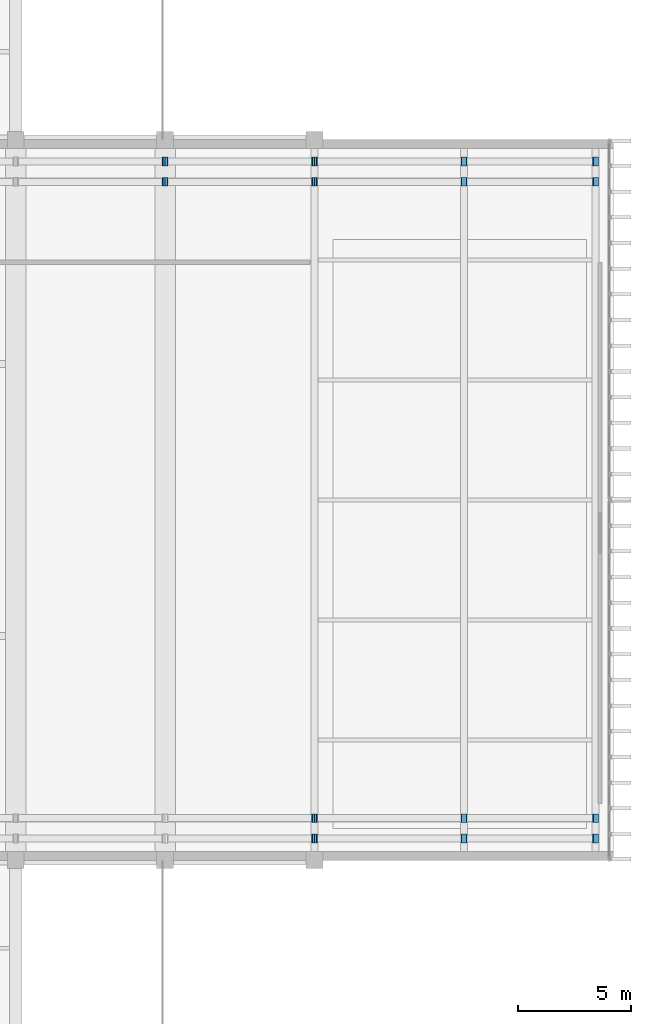
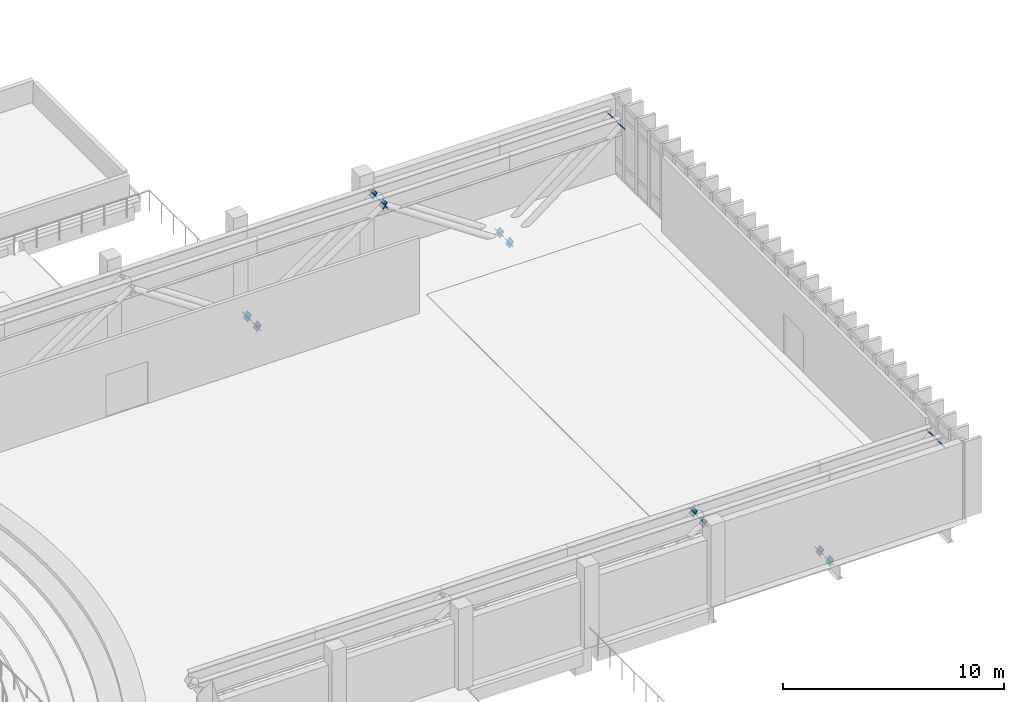
# One storey, part 47 of 54: 24 discrete accessories.
"""IFC4 building model written with IfcOpenShell, lengths in metres."""

import ifcopenshell
import ifcopenshell.guid

model = None  # the IFC model being written
_history = None  # IfcOwnerHistory: only IFC2X3 demands one
_inside = {}  # id of a spatial element -> (the spatial element, [elements in it])
_under = {}  # id of a project, library or spatial element -> (it, [spatial elements below it])
_declared = {}  # id of a project -> (the project, [libraries it declares])
_typed = {}  # id of a type object -> (the type object, [elements of that type])
_made_of = {}  # id of a material, layer set ... -> (it, [elements and type objects made of it])


def new_model(schema):
    """Start an empty IFC model of exactly this schema.

    Asked for "IFC4X3", IfcOpenShell would pick the latest addendum, in which some entities
    have other attributes; the version numbers below select the first issue.
    IFC2X3 requires an IfcOwnerHistory on every rooted entity: one is made here for all.
    """
    global model, _history
    if schema == "IFC4X3":
        model = ifcopenshell.file(schema_version=(4, 3, 0, 0))
    else:
        model = ifcopenshell.file(schema=schema)
    _inside.clear()
    _under.clear()
    _declared.clear()
    _typed.clear()
    _made_of.clear()
    _history = None
    if model.schema == "IFC2X3":
        org = make("IfcOrganization", Name="unknown")
        user = make(
            "IfcPersonAndOrganization",
            ThePerson=make("IfcPerson", FamilyName="unknown"),
            TheOrganization=org,
        )
        app = make(
            "IfcApplication",
            ApplicationDeveloper=org,
            Version="unknown",
            ApplicationFullName="unknown",
            ApplicationIdentifier="unknown",
        )
        _history = make(
            "IfcOwnerHistory",
            OwningUser=user,
            OwningApplication=app,
            ChangeAction="ADDED",
            CreationDate=0,
        )
    return model


def make(cls, **values):
    """One entity of the class cls with the attributes given. An attribute that is None is left unset."""
    return model.create_entity(
        cls, **{name: value for name, value in values.items() if value is not None}
    )


def rooted(cls, **values):
    """An entity with a GlobalId (a new one), such as an element, a storey or a relation."""
    return make(cls, GlobalId=ifcopenshell.guid.new(), OwnerHistory=_history, **values)


def si_unit(unit_type, name, prefix=None):
    """IfcSIUnit, for example si_unit("LENGTHUNIT", "METRE", prefix="MILLI")."""
    return make("IfcSIUnit", UnitType=unit_type, Prefix=prefix, Name=name)


def assignment(units):
    """IfcUnitAssignment: the units of a project."""
    return None if units is None else make("IfcUnitAssignment", Units=units)


def point(xyz):
    """IfcCartesianPoint."""
    return None if xyz is None else make("IfcCartesianPoint", Coordinates=xyz)


def direction(xyz):
    """IfcDirection."""
    return None if xyz is None else make("IfcDirection", DirectionRatios=xyz)


def frame(location, z_axis=None, x_axis=None):
    """IfcAxis2Placement3D, a coordinate frame: its origin and axes. An axis left out is left unset."""
    return make(
        "IfcAxis2Placement3D",
        Location=point(location),
        Axis=direction(z_axis),
        RefDirection=direction(x_axis),
    )


def frame_2d(location, x_axis=None):
    """IfcAxis2Placement2D, a coordinate frame in the plane: its origin and x axis."""
    return make(
        "IfcAxis2Placement2D", Location=point(location), RefDirection=direction(x_axis)
    )


def origin():
    """The frame at (0, 0, 0) with its axes left unset."""
    return frame((0.0, 0.0, 0.0))


def origin_2d():
    """The frame at (0, 0) in the plane with its x axis left unset."""
    return frame_2d((0.0, 0.0))


def place(relative_to, where):
    """IfcLocalPlacement: puts the frame where relative to a parent placement (None: the world)."""
    return make(
        "IfcLocalPlacement", PlacementRelTo=relative_to, RelativePlacement=where
    )


def context(
    kind, dimensions, precision=None, world=None, true_north=None, identifier=None
):
    """IfcGeometricRepresentationContext, for example the 3D "Model" context."""
    return make(
        "IfcGeometricRepresentationContext",
        ContextIdentifier=identifier,
        ContextType=kind,
        CoordinateSpaceDimension=dimensions,
        Precision=precision,
        WorldCoordinateSystem=world,
        TrueNorth=true_north,
    )


def subcontext(parent, identifier, kind, view, scale=None):
    """IfcGeometricRepresentationSubContext, for example "Body" below "Model"."""
    return make(
        "IfcGeometricRepresentationSubContext",
        ContextIdentifier=identifier,
        ContextType=kind,
        ParentContext=parent,
        TargetScale=scale,
        TargetView=view,
    )


def project(units=None, contexts=None):
    """IfcProject with its units and contexts."""
    return rooted(
        "IfcProject",
        Name="project",
        RepresentationContexts=contexts,
        UnitsInContext=assignment(units),
    )


def spatial(cls, under=None, at=None, **own):
    """A site, building, storey or space (cls), placed at a placement, below another one or the project."""
    s = rooted(cls, ObjectPlacement=at, **own)
    if under is not None:
        _under.setdefault(under.id(), (under, []))[1].append(s)
    return s


def profile(cls, at=None, kind="AREA", **sizes):
    """A parametric profile (cls). Its sizes go by their IFC names, for example OverallWidth=200.0."""
    return make(cls, ProfileType=kind, Position=at, **sizes)


def rectangle(**sizes):
    """IfcRectangleProfileDef."""
    return profile("IfcRectangleProfileDef", **sizes)


def extrude(swept, where, along, depth):
    """IfcExtrudedAreaSolid: the profile swept, set in the frame where, extruded along a direction by depth."""
    return make(
        "IfcExtrudedAreaSolid",
        SweptArea=swept,
        Position=where,
        ExtrudedDirection=direction(along),
        Depth=depth,
    )


def shape(context_of_items, identifier, shape_type, items):
    """IfcShapeRepresentation: the items that make up one representation, for example the "Body"."""
    return make(
        "IfcShapeRepresentation",
        ContextOfItems=context_of_items,
        RepresentationIdentifier=identifier,
        RepresentationType=shape_type,
        Items=items,
    )


def material(Name=None, Category=None):
    """IfcMaterial."""
    return make("IfcMaterial", Name=Name, Category=Category)


def material_profile(
    of_material, cross_section, Name=None, Category=None, Priority=None
):
    """IfcMaterialProfile: a cross section and its material."""
    return make(
        "IfcMaterialProfile",
        Name=Name,
        Material=of_material,
        Profile=cross_section,
        Priority=Priority,
        Category=Category,
    )


def profile_set(profiles, Name=None, composite=None):
    """IfcMaterialProfileSet."""
    return make(
        "IfcMaterialProfileSet",
        Name=Name,
        MaterialProfiles=profiles,
        CompositeProfile=composite,
    )


def made_of(thing, what):
    """Note that an element or type object is made of a material, layer set ...; save() writes the relation."""
    if what is not None:
        _made_of.setdefault(what.id(), (what, []))[1].append(thing)
    return thing


def type_object(cls, material=None, **own):
    """A type object (cls), such as IfcWallType, which elements share."""
    return made_of(rooted(cls, **own), material)


def element(
    cls,
    number,
    at=None,
    inside=None,
    cuts=None,
    type_object=None,
    material=None,
    context=None,
    identifier="Body",
    shape_type=None,
    held_by="IfcProductDefinitionShape",
    body=None,
    shapes=None,
    **own,
):
    """One element of the class cls, such as IfcWall. Its Tag is "e" and its number.

    at: its placement. inside: the storey or other place that contains it. cuts: it is an
    opening in that element (IfcRelVoidsElement). A single representation is given by context,
    identifier, shape_type and body (its items); several are given by shapes. held_by: the class
    of the entity that holds the representations. save() writes the other relations.
    """
    e = rooted(cls, Tag="e%d" % number, ObjectPlacement=at, **own)
    if body is not None:
        shapes = [shape(context, identifier, shape_type, body)]
    if shapes is not None:
        e.Representation = make(held_by, Representations=shapes)
    if inside is not None:
        _inside.setdefault(inside.id(), (inside, []))[1].append(e)
    if cuts is not None:
        rooted(
            "IfcRelVoidsElement", RelatingBuildingElement=cuts, RelatedOpeningElement=e
        )
    if type_object is not None:
        _typed.setdefault(type_object.id(), (type_object, []))[1].append(e)
    return made_of(e, material)


def aggregate(whole, parts):
    """IfcRelAggregates: a whole, such as a stair, and the parts it consists of."""
    return rooted("IfcRelAggregates", RelatingObject=whole, RelatedObjects=parts)


def save(model, path):
    """Write the relations noted so far, then the file.

    IfcRelAggregates (storeys below a building ...), IfcRelContainedInSpatialStructure (elements
    in a storey), IfcRelDefinesByType, IfcRelAssociatesMaterial and IfcRelDeclares: one each for
    every whole, place, type object, material and project.
    """
    for whole, parts in _under.values():
        aggregate(whole, parts)
    for where, things in _inside.values():
        rooted(
            "IfcRelContainedInSpatialStructure",
            RelatedElements=things,
            RelatingStructure=where,
        )
    for kind, things in _typed.values():
        rooted("IfcRelDefinesByType", RelatedObjects=things, RelatingType=kind)
    for what, things in _made_of.values():
        rooted("IfcRelAssociatesMaterial", RelatedObjects=things, RelatingMaterial=what)
    for by, libraries in _declared.values():
        rooted("IfcRelDeclares", RelatingContext=by, RelatedDefinitions=libraries)
    model.write(path)


model = new_model("IFC4")

# Units and contexts
model_context = context("Model", 3, precision=1e-05, world=origin(), true_north=direction((0.0, 1.0)))
body_context = subcontext(model_context, "Body", "Model", "MODEL_VIEW")
ifc_project = project(units=[si_unit("LENGTHUNIT", "METRE"), si_unit("AREAUNIT", "SQUARE_METRE"), si_unit("VOLUMEUNIT", "CUBIC_METRE"), si_unit("PLANEANGLEUNIT", "RADIAN"), si_unit("MASSUNIT", "GRAM", prefix="KILO")], contexts=[model_context])

# Site, building, storey
site_placement = place(None, origin())
site = spatial("IfcSite", under=ifc_project, at=site_placement, CompositionType="ELEMENT")
building_placement = place(site_placement, origin())
building = spatial("IfcBuilding", under=site, at=building_placement, Name="Kelarvand Opera House", CompositionType="ELEMENT")
storey_placement = place(building_placement, frame((0.0, 0.0, 15.0)))
storey = spatial("IfcBuildingStorey", under=building, at=storey_placement, Name="L03", CompositionType="ELEMENT", Elevation=15.0)

# Discrete accessories
ifc_material = material(Name="Steel S355", Category="steel")
ifc_material_profile = material_profile(ifc_material, rectangle(XDim=0.384033203125, YDim=0.384033203125, at=origin_2d()), Name="Welded Steel Hollow End-Cap Plate 384x384x24", Category="steel")
ifc_profile_set = profile_set([ifc_material_profile], Name="Steel S355")
discrete_accessory_type = type_object("IfcDiscreteAccessoryType", Name="Welded Steel Hollow End-Cap Plate 384x384x24", PredefinedType="SHOE", material=ifc_profile_set)
for number, where, z_axis, x_axis, name in (
    (1, (141.79345703125, 47.550048828125, 3.765380859375), (0.826800431078, 0.0, 0.562495375242), (0.0, 1.0, 0.0), "Hollow Section Welded End Cap 132"),
    (2, (141.806640625, 47.550048828125, 3.765380859375), (-0.826800431078, 0.0, 0.562495375242), (0.0, -1.0, 0.0), "Hollow Section Welded End Cap 135"),
):
    element("IfcDiscreteAccessory", number, at=place(storey_placement, frame(where, z_axis=z_axis, x_axis=x_axis)), inside=storey, type_object=discrete_accessory_type, Name=name, PredefinedType="SHOE", context=body_context, shape_type="SweptSolid", body=[
        extrude(rectangle(XDim=0.384033203125, YDim=0.384033203125, at=origin_2d()), origin(), (0.0, 0.0, 1.0), 0.0361328125),
    ])
discrete_accessory_1_placement = place(storey_placement, frame((148.393310546875, 47.550048828125, -0.66552734375), z_axis=(0.829951176842, 0.0, -0.557836036894), x_axis=(0.0, 1.0, 0.0)))
element("IfcDiscreteAccessory", 3, at=discrete_accessory_1_placement, inside=storey, type_object=discrete_accessory_type, Name="Hollow Section Welded End Cap 136", PredefinedType="SHOE", context=body_context, shape_type="SweptSolid", body=[
    extrude(rectangle(XDim=0.384033203125, YDim=0.384033203125, at=origin_2d()), origin(), (0.0, 0.0, 1.0), 0.035888671875),
])
for number, where, z_axis, x_axis, name in (
    (4, (148.406494140625, 47.550048828125, -0.6650390625), (-0.795122252878, 0.0, -0.606449175924), (0.0, -1.0, 0.0), "Hollow Section Welded End Cap 139"),
    (5, (154.193603515625, 47.550048828125, 3.76513671875), (0.792623989105, 0.0, 0.60971076085), (0.0, 1.0, 0.0), "Hollow Section Welded End Cap 140"),
    (6, (141.79345703125, 48.449951171875, 3.765380859375), (0.826800431078, 0.0, 0.562495375242), (0.0, 1.0, 0.0), "Hollow Section Welded End Cap 156"),
    (7, (141.806640625, 48.449951171875, 3.765380859375), (-0.826800431078, 0.0, 0.562495375242), (0.0, -1.0, 0.0), "Hollow Section Welded End Cap 159"),
):
    element("IfcDiscreteAccessory", number, at=place(storey_placement, frame(where, z_axis=z_axis, x_axis=x_axis)), inside=storey, type_object=discrete_accessory_type, Name=name, PredefinedType="SHOE", context=body_context, shape_type="SweptSolid", body=[
        extrude(rectangle(XDim=0.384033203125, YDim=0.384033203125, at=origin_2d()), origin(), (0.0, 0.0, 1.0), 0.0361328125),
    ])
discrete_accessory_2_placement = place(storey_placement, frame((148.393310546875, 48.449951171875, -0.66552734375), z_axis=(0.829951176842, 0.0, -0.557836036894), x_axis=(0.0, 1.0, 0.0)))
element("IfcDiscreteAccessory", 8, at=discrete_accessory_2_placement, inside=storey, type_object=discrete_accessory_type, Name="Hollow Section Welded End Cap 160", PredefinedType="SHOE", context=body_context, shape_type="SweptSolid", body=[
    extrude(rectangle(XDim=0.384033203125, YDim=0.384033203125, at=origin_2d()), origin(), (0.0, 0.0, 1.0), 0.035888671875),
])
for number, where, z_axis, x_axis, name in (
    (9, (148.406494140625, 48.449951171875, -0.6650390625), (-0.795122252878, 0.0, -0.606449175924), (0.0, -1.0, 0.0), "Hollow Section Welded End Cap 163"),
    (10, (154.193603515625, 48.449951171875, 3.76513671875), (0.792623989105, 0.0, 0.60971076085), (0.0, 1.0, 0.0), "Hollow Section Welded End Cap 164"),
):
    element("IfcDiscreteAccessory", number, at=place(storey_placement, frame(where, z_axis=z_axis, x_axis=x_axis)), inside=storey, type_object=discrete_accessory_type, Name=name, PredefinedType="SHOE", context=body_context, shape_type="SweptSolid", body=[
        extrude(rectangle(XDim=0.384033203125, YDim=0.384033203125, at=origin_2d()), origin(), (0.0, 0.0, 1.0), 0.0361328125),
    ])
for number, where, z_axis, x_axis, name in (
    (11, (135.193359375, 76.550048828125, -0.66552734375), (0.829951176842, 0.0, -0.557836036894), (0.0, 1.0, 0.0), "Hollow Section Welded End Cap 176"),
    (12, (135.20654296875, 76.550048828125, -0.66552734375), (-0.829951176842, 0.0, -0.557836036894), (0.0, -1.0, 0.0), "Hollow Section Welded End Cap 179"),
):
    element("IfcDiscreteAccessory", number, at=place(storey_placement, frame(where, z_axis=z_axis, x_axis=x_axis)), inside=storey, type_object=discrete_accessory_type, Name=name, PredefinedType="SHOE", context=body_context, shape_type="SweptSolid", body=[
        extrude(rectangle(XDim=0.384033203125, YDim=0.384033203125, at=origin_2d()), origin(), (0.0, 0.0, 1.0), 0.035888671875),
    ])
for number, where, z_axis, x_axis, name in (
    (13, (141.79345703125, 76.550048828125, 3.765380859375), (0.826800431078, 0.0, 0.562495375242), (0.0, 1.0, 0.0), "Hollow Section Welded End Cap 180"),
    (14, (141.806640625, 76.550048828125, 3.765380859375), (-0.826800431078, 0.0, 0.562495375242), (0.0, -1.0, 0.0), "Hollow Section Welded End Cap 183"),
):
    element("IfcDiscreteAccessory", number, at=place(storey_placement, frame(where, z_axis=z_axis, x_axis=x_axis)), inside=storey, type_object=discrete_accessory_type, Name=name, PredefinedType="SHOE", context=body_context, shape_type="SweptSolid", body=[
        extrude(rectangle(XDim=0.384033203125, YDim=0.384033203125, at=origin_2d()), origin(), (0.0, 0.0, 1.0), 0.0361328125),
    ])
discrete_accessory_3_placement = place(storey_placement, frame((148.393310546875, 76.550048828125, -0.66552734375), z_axis=(0.829951176842, 0.0, -0.557836036894), x_axis=(0.0, 1.0, 0.0)))
element("IfcDiscreteAccessory", 15, at=discrete_accessory_3_placement, inside=storey, type_object=discrete_accessory_type, Name="Hollow Section Welded End Cap 184", PredefinedType="SHOE", context=body_context, shape_type="SweptSolid", body=[
    extrude(rectangle(XDim=0.384033203125, YDim=0.384033203125, at=origin_2d()), origin(), (0.0, 0.0, 1.0), 0.035888671875),
])
for number, where, z_axis, x_axis, name in (
    (16, (148.406494140625, 76.550048828125, -0.6650390625), (-0.795122252878, 0.0, -0.606449175924), (0.0, -1.0, 0.0), "Hollow Section Welded End Cap 187"),
    (17, (154.193603515625, 76.550048828125, 3.76513671875), (0.792623989105, 0.0, 0.60971076085), (0.0, 1.0, 0.0), "Hollow Section Welded End Cap 188"),
):
    element("IfcDiscreteAccessory", number, at=place(storey_placement, frame(where, z_axis=z_axis, x_axis=x_axis)), inside=storey, type_object=discrete_accessory_type, Name=name, PredefinedType="SHOE", context=body_context, shape_type="SweptSolid", body=[
        extrude(rectangle(XDim=0.384033203125, YDim=0.384033203125, at=origin_2d()), origin(), (0.0, 0.0, 1.0), 0.0361328125),
    ])
for number, where, z_axis, x_axis, name in (
    (18, (135.193359375, 77.449951171875, -0.66552734375), (0.829951176842, 0.0, -0.557836036894), (0.0, 1.0, 0.0), "Hollow Section Welded End Cap 200"),
    (19, (135.20654296875, 77.449951171875, -0.66552734375), (-0.829951176842, 0.0, -0.557836036894), (0.0, -1.0, 0.0), "Hollow Section Welded End Cap 203"),
):
    element("IfcDiscreteAccessory", number, at=place(storey_placement, frame(where, z_axis=z_axis, x_axis=x_axis)), inside=storey, type_object=discrete_accessory_type, Name=name, PredefinedType="SHOE", context=body_context, shape_type="SweptSolid", body=[
        extrude(rectangle(XDim=0.384033203125, YDim=0.384033203125, at=origin_2d()), origin(), (0.0, 0.0, 1.0), 0.035888671875),
    ])
for number, where, z_axis, x_axis, name in (
    (20, (141.79345703125, 77.449951171875, 3.765380859375), (0.826800431078, 0.0, 0.562495375242), (0.0, 1.0, 0.0), "Hollow Section Welded End Cap 204"),
    (21, (141.806640625, 77.449951171875, 3.765380859375), (-0.826800431078, 0.0, 0.562495375242), (0.0, -1.0, 0.0), "Hollow Section Welded End Cap 207"),
):
    element("IfcDiscreteAccessory", number, at=place(storey_placement, frame(where, z_axis=z_axis, x_axis=x_axis)), inside=storey, type_object=discrete_accessory_type, Name=name, PredefinedType="SHOE", context=body_context, shape_type="SweptSolid", body=[
        extrude(rectangle(XDim=0.384033203125, YDim=0.384033203125, at=origin_2d()), origin(), (0.0, 0.0, 1.0), 0.0361328125),
    ])
discrete_accessory_4_placement = place(storey_placement, frame((148.393310546875, 77.449951171875, -0.66552734375), z_axis=(0.829951176842, 0.0, -0.557836036894), x_axis=(0.0, 1.0, 0.0)))
element("IfcDiscreteAccessory", 22, at=discrete_accessory_4_placement, inside=storey, type_object=discrete_accessory_type, Name="Hollow Section Welded End Cap 208", PredefinedType="SHOE", context=body_context, shape_type="SweptSolid", body=[
    extrude(rectangle(XDim=0.384033203125, YDim=0.384033203125, at=origin_2d()), origin(), (0.0, 0.0, 1.0), 0.035888671875),
])
for number, where, z_axis, x_axis, name in (
    (23, (148.406494140625, 77.449951171875, -0.6650390625), (-0.795122252878, 0.0, -0.606449175924), (0.0, -1.0, 0.0), "Hollow Section Welded End Cap 211"),
    (24, (154.193603515625, 77.449951171875, 3.76513671875), (0.792623989105, 0.0, 0.60971076085), (0.0, 1.0, 0.0), "Hollow Section Welded End Cap 212"),
):
    element("IfcDiscreteAccessory", number, at=place(storey_placement, frame(where, z_axis=z_axis, x_axis=x_axis)), inside=storey, type_object=discrete_accessory_type, Name=name, PredefinedType="SHOE", context=body_context, shape_type="SweptSolid", body=[
        extrude(rectangle(XDim=0.384033203125, YDim=0.384033203125, at=origin_2d()), origin(), (0.0, 0.0, 1.0), 0.0361328125),
    ])

save(model, "model.ifc")
